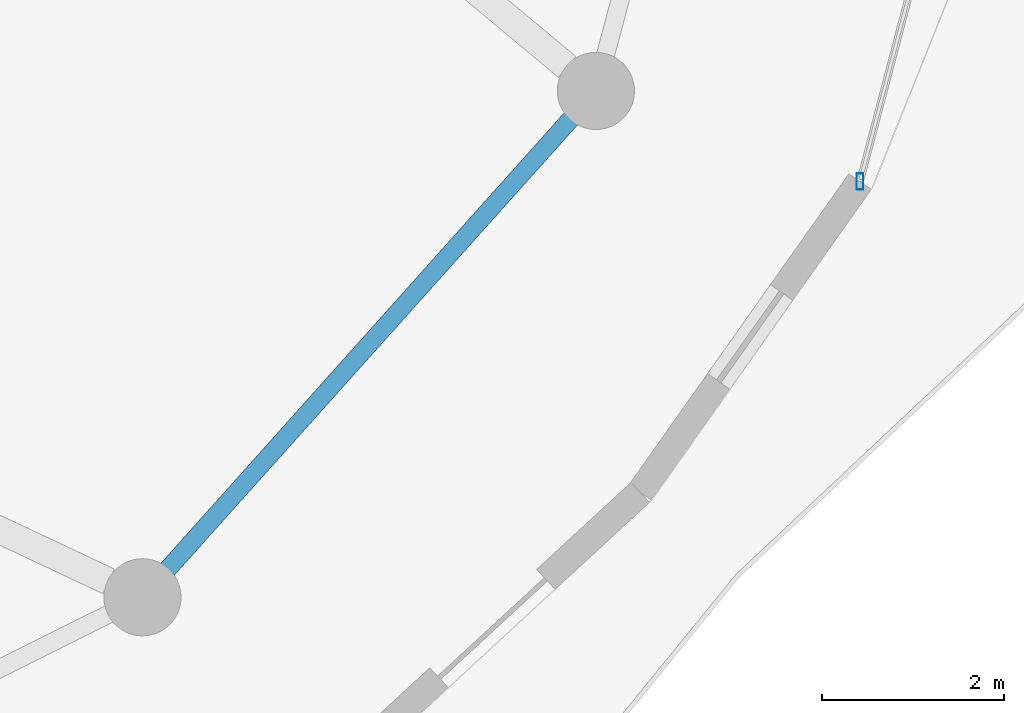
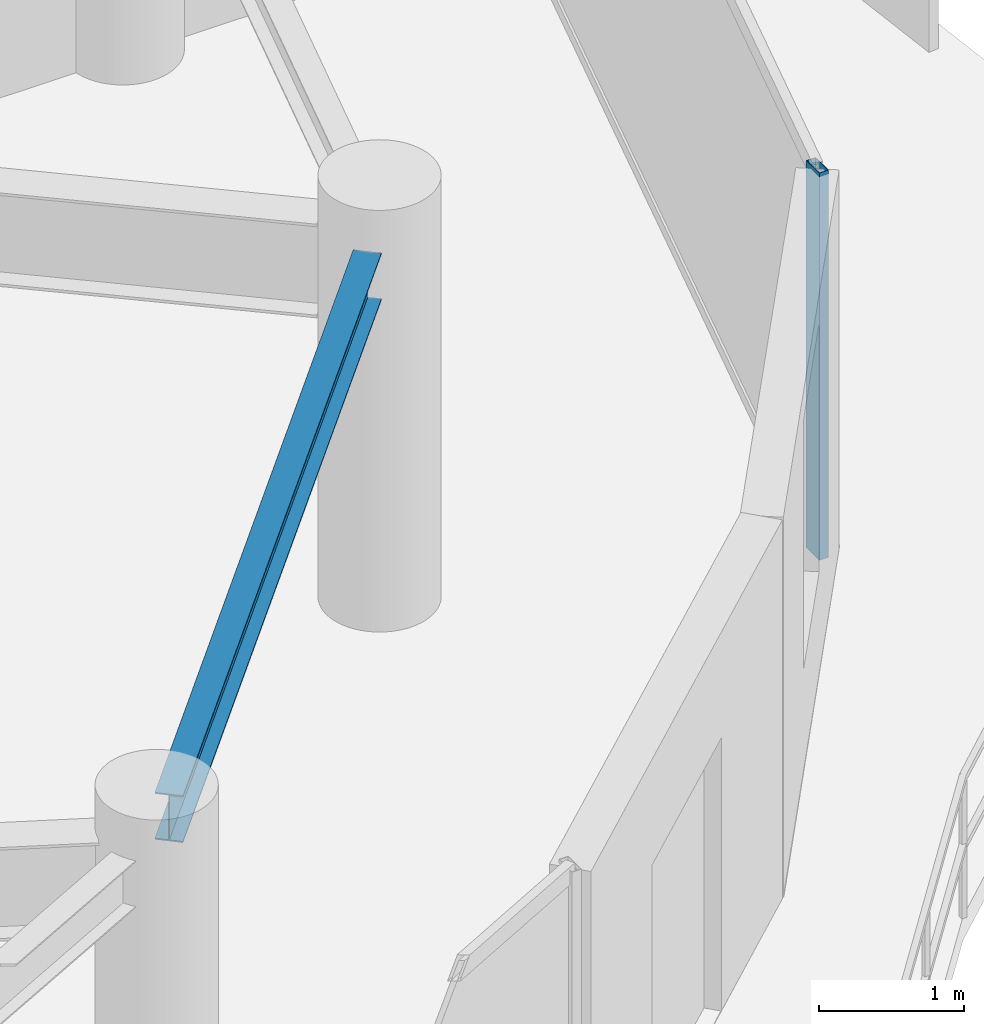
# One storey, part 9 of 25: 1 beam, 1 member, 1 element without a shape of its own.
"""IFC4 building model written with IfcOpenShell, lengths in metres."""

from ifc_helpers import new_model, si_unit, direction, frame, origin, origin_2d, place, context, subcontext, project, spatial, hollow_rectangle, i_section, extrude, material, material_profile, profile_set, type_object, element, aggregate, save


model = new_model("IFC4")

# Units and contexts
model_context = context("Model", 3, precision=1e-05, world=origin(), true_north=direction((0.0, 1.0)))
body_context = subcontext(model_context, "Body", "Model", "MODEL_VIEW")
ifc_project = project(units=[si_unit("LENGTHUNIT", "METRE"), si_unit("AREAUNIT", "SQUARE_METRE"), si_unit("VOLUMEUNIT", "CUBIC_METRE"), si_unit("PLANEANGLEUNIT", "RADIAN"), si_unit("MASSUNIT", "GRAM", prefix="KILO")], contexts=[model_context])

# Site, building, storey
site_placement = place(None, origin())
site = spatial("IfcSite", under=ifc_project, at=site_placement, CompositionType="ELEMENT")
building_placement = place(site_placement, origin())
building = spatial("IfcBuilding", under=site, at=building_placement, Name="Vorneva Point Tower", CompositionType="ELEMENT")
storey_placement = place(building_placement, frame((0.0, 0.0, 276.85009765625)))
storey = spatial("IfcBuildingStorey", under=building, at=storey_placement, Name="L75", CompositionType="ELEMENT", Elevation=276.85009765625)

# Beam
ifc_material_1 = material(Name="Steel S355", Category="steel")
ifc_material_profile_1 = material_profile(ifc_material_1, i_section(OverallWidth=0.198974609375, OverallDepth=0.39599609375, WebThickness=0.007080078125, FlangeThickness=0.010986328125, at=origin_2d()), Name="40B1")
ifc_profile_set_1 = profile_set([ifc_material_profile_1], Name="Steel S355")
beam_type = type_object("IfcBeamType", Name="BM-SPN-40B1", PredefinedType="SPANDREL", material=ifc_profile_set_1)
beam_placement = place(storey_placement, frame((54.572265625, 14.143310546875, 2.991943359375), z_axis=(0.667108282638, 0.744960763554, 0.0), x_axis=(-0.744960763554, 0.667108282638, 0.0)))
element("IfcBeam", 1, at=beam_placement, inside=storey, type_object=beam_type, Name="L75 Perimeter Spandrel Ring Beam 15", PredefinedType="SPANDREL", context=body_context, shape_type="SweptSolid", body=[
    extrude(i_section(OverallWidth=0.198974609375, OverallDepth=0.39599609375, WebThickness=0.007080078125, FlangeThickness=0.010986328125, at=origin_2d()), origin(), (0.0, 0.0, 1.0), 6.670166015625),
])

# Curtain wall, member
ifc_material_2 = material(Name="Pale anodised aluminium", Category="aluminium")
curtain_wall_type = type_object("IfcCurtainWallType", Name="CW-RES-SYS", PredefinedType="NOTDEFINED", material=ifc_material_2)
curtain_wall_placement = place(storey_placement, origin())
curtain_wall = element("IfcCurtainWall", 2, at=curtain_wall_placement, inside=storey, type_object=curtain_wall_type, Name="L75 Unitised Curtain Wall CW-L75-R01", PredefinedType="NOTDEFINED")
ifc_material_profile_2 = material_profile(ifc_material_2, hollow_rectangle(XDim=0.074951171875, YDim=0.179931640625, WallThickness=0.00390625, at=origin_2d()), Name="AL-MUL 180x75x4")
ifc_profile_set_2 = profile_set([ifc_material_profile_2], Name="Pale anodised aluminium")
member_type = type_object("IfcMemberType", Name="CW-MUL-180", PredefinedType="MULLION", material=ifc_profile_set_2)
member_placement = place(storey_placement, frame((62.20556640625, 18.4189453125, -0.0400390625), z_axis=(0.0, 0.0, 1.0), x_axis=(1.0, 0.0, 0.0)))
member = element("IfcMember", 3, at=member_placement, type_object=member_type, Name="CW-L75-R01 Mullion 01", PredefinedType="MULLION", context=body_context, shape_type="SweptSolid", body=[
    extrude(hollow_rectangle(XDim=0.074951171875, YDim=0.179931640625, WallThickness=0.00390625, at=origin_2d()), origin(), (0.0, 0.0, 1.0), 3.260009765625),
])
aggregate(curtain_wall, [member])

save(model, "model.ifc")
